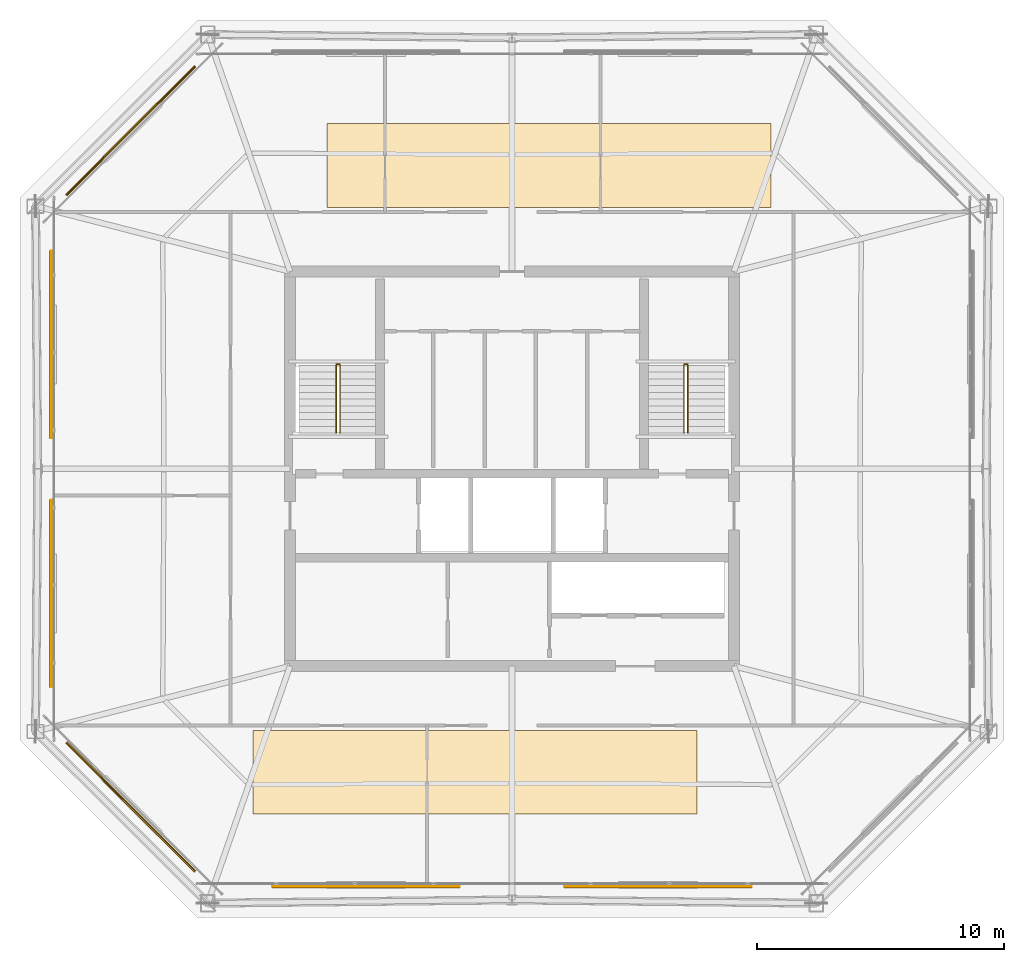
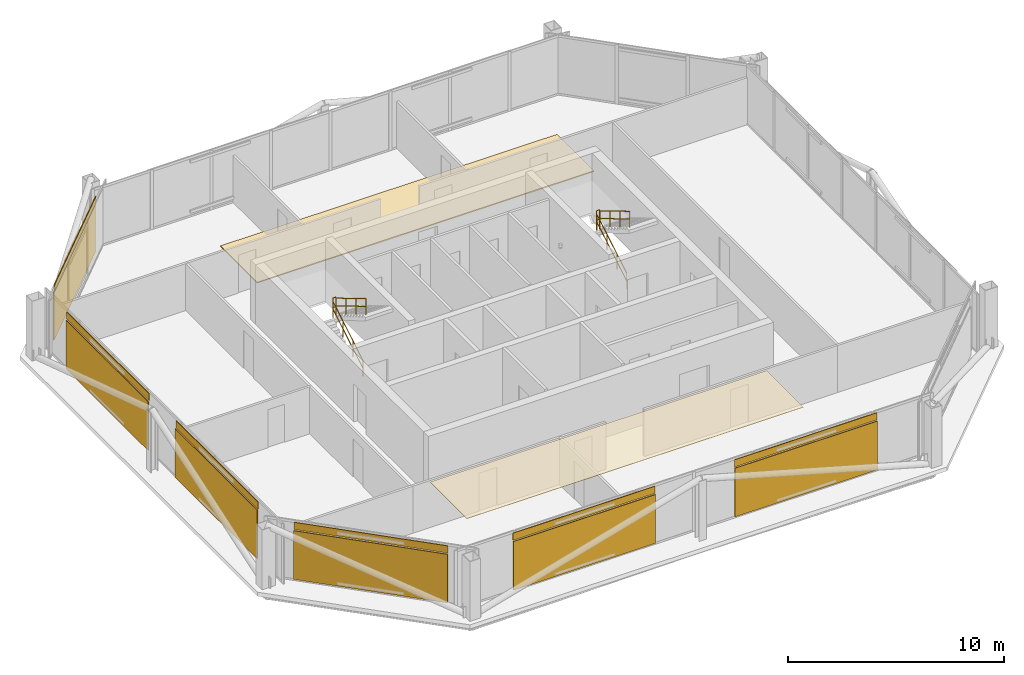
# One storey, part 25 of 26: 8 coverings, 6 railings, 6 shading devices.
"""IFC4 building model written with IfcOpenShell, lengths in metres."""

from ifc_helpers import new_model, si_unit, direction, frame, origin, origin_2d, place, context, subcontext, project, spatial, polyline, rectangle, circle, outline, extrude, material, layer, layer_set, type_object, element, save


model = new_model("IFC4")

# Units and contexts
model_context = context("Model", 3, precision=1e-05, world=origin(), true_north=direction((0.0, 1.0)))
body_context = subcontext(model_context, "Body", "Model", "MODEL_VIEW")
ifc_project = project(units=[si_unit("LENGTHUNIT", "METRE"), si_unit("AREAUNIT", "SQUARE_METRE"), si_unit("VOLUMEUNIT", "CUBIC_METRE"), si_unit("PLANEANGLEUNIT", "RADIAN"), si_unit("MASSUNIT", "GRAM", prefix="KILO")], contexts=[model_context])

# Site, building, storey
site_placement = place(None, origin())
site = spatial("IfcSite", under=ifc_project, at=site_placement, CompositionType="ELEMENT")
building_placement = place(site_placement, origin())
building = spatial("IfcBuilding", under=site, at=building_placement, Name="Caelvoria Tower", CompositionType="ELEMENT")
storey_placement = place(building_placement, frame((0.0, 0.0, 239.39990234375)))
storey = spatial("IfcBuildingStorey", under=building, at=storey_placement, Name="L63", CompositionType="ELEMENT", Elevation=239.39990234375)

# Coverings
ifc_material_1 = material(Name="Acoustic Mineral Fibre Tile", Category="gypsum")
ifc_layer_1 = layer(ifc_material_1, 0.02490234375, Name="Acoustic Mineral Fibre Tile")
ifc_layer_set_1 = layer_set([ifc_layer_1], Name="Mineral-Fibre Acoustic Suspended Ceiling 25 - Acoustic Mineral Fibre Tile")
covering_type_1 = type_object("IfcCoveringType", Name="Mineral-Fibre Acoustic Suspended Ceiling 25", PredefinedType="CEILING", material=ifc_layer_set_1)
covering_1_placement = place(storey_placement, frame((0.0, 0.0, 2.650146484375)))
element("IfcCovering", 1, at=covering_1_placement, inside=storey, type_object=covering_type_1, Name="Suspended Acoustic Ceiling L63", PredefinedType="CEILING", context=body_context, shape_type="SweptSolid", body=[
    extrude(outline(polyline([(35.5, 18.0), (53.5, 18.0), (53.5, 21.39990234375), (35.5, 21.39990234375), (35.5, 18.0)])), origin(), (0.0, 0.0, 1.0), 0.02490234375),
])
ifc_material_2 = material(Name="Perforated Architectural Bronze Cladding Screen", Category="bronze")
ifc_layer_2 = layer(ifc_material_2, 0.0400390625, Name="Perforated Architectural Bronze Cladding Screen")
ifc_layer_set_2 = layer_set([ifc_layer_2], Name="Perforated Bronze Louvre Cladding Band 40 - Perforated Architectural Bronze Cladding Screen")
covering_type_2 = type_object("IfcCoveringType", Name="Perforated Bronze Louvre Cladding Band 40", PredefinedType="CLADDING", material=ifc_layer_set_2)
for number, where, z_axis, x_axis, name in (
    (2, (40.074951171875, 15.077880859375, 2.955078125), (0.0, 0.0, 1.0), (1.0, 0.0, 0.0), "Perforated Bronze Screen Band L63-E0-00"),
    (3, (51.925048828125, 15.077880859375, 2.955078125), (0.0, 0.0, 1.0), (1.0, 0.0, 0.0), "Perforated Bronze Screen Band L63-E0-01"),
):
    element("IfcCovering", number, at=place(storey_placement, frame(where, z_axis=z_axis, x_axis=x_axis)), inside=storey, type_object=covering_type_2, Name=name, PredefinedType="CLADDING", context=body_context, shape_type="SweptSolid", body=[
        extrude(rectangle(XDim=7.60009765625, YDim=0.0400390625, at=origin_2d()), origin(), (0.0, 0.0, 1.0), 0.39990234375),
    ])
covering_2_placement = place(storey_placement, frame((30.5537109375, 45.6962890625, 2.955078125), z_axis=(0.0, 0.0, 1.0), x_axis=(-0.707106781187, -0.707106781187, 0.0)))
element("IfcCovering", 4, at=covering_2_placement, inside=storey, type_object=covering_type_2, Name="Perforated Bronze Screen Band L63-E5-00", PredefinedType="CLADDING", context=body_context, shape_type="SweptSolid", body=[
    extrude(rectangle(XDim=7.37646484375, YDim=0.0400390625, at=origin_2d()), origin(), (0.0, 0.0, 1.0), 0.39990234375),
])
for number, where, z_axis, x_axis, name in (
    (5, (27.327880859375, 37.050048828125, 2.955078125), (0.0, 0.0, 1.0), (0.0, -1.0, 0.0), "Perforated Bronze Screen Band L63-E6-00"),
    (6, (27.327880859375, 26.949951171875, 2.955078125), (0.0, 0.0, 1.0), (0.0, -1.0, 0.0), "Perforated Bronze Screen Band L63-E6-01"),
):
    element("IfcCovering", number, at=place(storey_placement, frame(where, z_axis=z_axis, x_axis=x_axis)), inside=storey, type_object=covering_type_2, Name=name, PredefinedType="CLADDING", context=body_context, shape_type="SweptSolid", body=[
        extrude(rectangle(XDim=7.60009765625, YDim=0.0400390625, at=origin_2d()), origin(), (0.0, 0.0, 1.0), 0.39990234375),
    ])
covering_3_placement = place(storey_placement, frame((30.5537109375, 18.3037109375, 2.955078125), z_axis=(0.0, 0.0, 1.0), x_axis=(0.707106781187, -0.707106781187, 0.0)))
element("IfcCovering", 7, at=covering_3_placement, inside=storey, type_object=covering_type_2, Name="Perforated Bronze Screen Band L63-E7-00", PredefinedType="CLADDING", context=body_context, shape_type="SweptSolid", body=[
    extrude(rectangle(XDim=7.37646484375, YDim=0.0400390625, at=origin_2d()), origin(), (0.0, 0.0, 1.0), 0.39990234375),
])

# Shading devices
ifc_material_3 = material(Name="Perforated Architectural Bronze Alloy Panel", Category="bronze")
ifc_layer_3 = layer(ifc_material_3, 0.044921875, Name="Perforated Architectural Bronze Alloy Panel")
ifc_layer_set_3 = layer_set([ifc_layer_3], Name="Perforated Bronze Solar Screen Panel SCREEN - Perforated Architectural Bronze Alloy Panel")
shading_device_type = type_object("IfcShadingDeviceType", Name="Perforated Bronze Solar Screen Panel SCREEN", PredefinedType="USERDEFINED", material=ifc_layer_set_3)
for number, where, z_axis, x_axis, name in (
    (8, (40.074951171875, 15.034912109375, 0.16015625), (0.0, 0.0, 1.0), (1.0, 0.0, 0.0), "Perforated Bronze Solar Screen L63-E0-00"),
    (9, (51.925048828125, 15.034912109375, 0.16015625), (0.0, 0.0, 1.0), (1.0, 0.0, 0.0), "Perforated Bronze Solar Screen L63-E0-01"),
):
    element("IfcShadingDevice", number, at=place(storey_placement, frame(where, z_axis=z_axis, x_axis=x_axis)), inside=storey, type_object=shading_device_type, Name=name, ObjectType="SCREEN", PredefinedType="USERDEFINED", context=body_context, shape_type="SweptSolid", body=[
        extrude(rectangle(XDim=7.60009765625, YDim=0.044921875, at=origin_2d()), origin(), (0.0, 0.0, 1.0), 2.75),
    ])
shading_device_1_placement = place(storey_placement, frame((30.523193359375, 45.726806640625, 0.16015625), z_axis=(0.0, 0.0, 1.0), x_axis=(-0.707106781187, -0.707106781187, 0.0)))
element("IfcShadingDevice", 10, at=shading_device_1_placement, inside=storey, type_object=shading_device_type, Name="Perforated Bronze Solar Screen L63-E5-00", ObjectType="SCREEN", PredefinedType="USERDEFINED", context=body_context, shape_type="SweptSolid", body=[
    extrude(rectangle(XDim=7.37646484375, YDim=0.044921875, at=origin_2d()), origin(), (0.0, 0.0, 1.0), 2.75),
])
for number, where, z_axis, x_axis, name in (
    (11, (27.284912109375, 37.050048828125, 0.16015625), (0.0, 0.0, 1.0), (0.0, -1.0, 0.0), "Perforated Bronze Solar Screen L63-E6-00"),
    (12, (27.284912109375, 26.949951171875, 0.16015625), (0.0, 0.0, 1.0), (0.0, -1.0, 0.0), "Perforated Bronze Solar Screen L63-E6-01"),
):
    element("IfcShadingDevice", number, at=place(storey_placement, frame(where, z_axis=z_axis, x_axis=x_axis)), inside=storey, type_object=shading_device_type, Name=name, ObjectType="SCREEN", PredefinedType="USERDEFINED", context=body_context, shape_type="SweptSolid", body=[
        extrude(rectangle(XDim=7.60009765625, YDim=0.044921875, at=origin_2d()), origin(), (0.0, 0.0, 1.0), 2.75),
    ])
shading_device_2_placement = place(storey_placement, frame((30.523193359375, 18.273193359375, 0.16015625), z_axis=(0.0, 0.0, 1.0), x_axis=(0.707106781187, -0.707106781187, 0.0)))
element("IfcShadingDevice", 13, at=shading_device_2_placement, inside=storey, type_object=shading_device_type, Name="Perforated Bronze Solar Screen L63-E7-00", ObjectType="SCREEN", PredefinedType="USERDEFINED", context=body_context, shape_type="SweptSolid", body=[
    extrude(rectangle(XDim=7.37646484375, YDim=0.044921875, at=origin_2d()), origin(), (0.0, 0.0, 1.0), 2.75),
])

# Covering
ifc_material_4 = material(Name="Calcium-Sulphate Raised Floor Tile", Category="gypsum")
ifc_layer_4 = layer(ifc_material_4, 0.06005859375, Name="Calcium-Sulphate Raised Floor Tile")
ifc_layer_set_4 = layer_set([ifc_layer_4], Name="Raised Access Office Floor System 120 - Calcium-Sulphate Raised Floor Tile")
covering_type_3 = type_object("IfcCoveringType", Name="Raised Access Office Floor System 120", PredefinedType="FLOORING", material=ifc_layer_set_4)
covering_4_placement = place(storey_placement, origin())
element("IfcCovering", 14, at=covering_4_placement, inside=storey, type_object=covering_type_3, Name="Raised Access Flooring L63", PredefinedType="FLOORING", context=body_context, shape_type="SweptSolid", body=[
    extrude(outline(polyline([(38.5, 42.60009765625), (56.5, 42.60009765625), (56.5, 46.0), (38.5, 46.0), (38.5, 42.60009765625)])), origin(), (0.0, 0.0, 1.0), 0.06005859375),
])

# Railings
ifc_material_5 = material(Name="Brushed Stainless Steel Tube", Category="steel")
railing_type_1 = type_object("IfcRailingType", Name="Stair Tubular Stainless Handrail 920", PredefinedType="HANDRAIL", material=ifc_material_5)
railing_1_placement = place(storey_placement, frame((38.8701171875, 33.449951171875, 0.163818359375)))
element("IfcRailing", 15, at=railing_1_placement, inside=storey, type_object=railing_type_1, Name="ST-01 Flight 1 Handrail L63", PredefinedType="HANDRAIL", context=body_context, shape_type="SweptSolid", body=[
    extrude(circle(Radius=0.02392578125, at=origin_2d()), frame((0.0, 0.0, 0.89599609375), z_axis=(0.0, 0.859385484447, 0.511328259656), x_axis=(-1.0, 0.0, 0.0)), (0.0, 0.0, 1.0), 3.199951171875),
    extrude(circle(Radius=0.02392578125, at=origin_2d()), frame((0.0, 0.0, 0.4599609375), z_axis=(0.0, 0.859385484447, 0.511328259656), x_axis=(-1.0, 0.0, 0.0)), (0.0, 0.0, 1.0), 3.199951171875),
    extrude(circle(Radius=0.02099609375, at=origin_2d()), origin(), (0.0, 0.0, 1.0), 0.871826171875),
    extrude(circle(Radius=0.02099609375, at=origin_2d()), frame((0.0, 0.916748046875, 0.54541015625)), (0.0, 0.0, 1.0), 0.871826171875),
    extrude(circle(Radius=0.02099609375, at=origin_2d()), frame((0.0, 1.833251953125, 1.0908203125)), (0.0, 0.0, 1.0), 0.871826171875),
    extrude(circle(Radius=0.02099609375, at=origin_2d()), frame((0.0, 2.75, 1.63623046875)), (0.0, 0.0, 1.0), 0.871826171875),
])
railing_2_placement = place(storey_placement, frame((39.030029296875, 36.199951171875, 1.963623046875)))
element("IfcRailing", 16, at=railing_2_placement, inside=storey, type_object=railing_type_1, Name="ST-01 Flight 2 Handrail L63", PredefinedType="HANDRAIL", context=body_context, shape_type="SweptSolid", body=[
    extrude(circle(Radius=0.02392578125, at=origin_2d()), frame((0.0, 0.0, 0.89599609375), z_axis=(0.0, -0.859351957796, 0.511384603436), x_axis=(1.0, 0.0, 0.0)), (0.0, 0.0, 1.0), 3.2001953125),
    extrude(circle(Radius=0.02392578125, at=origin_2d()), frame((0.0, 0.0, 0.4599609375), z_axis=(0.0, -0.859351957796, 0.511384603436), x_axis=(1.0, 0.0, 0.0)), (0.0, 0.0, 1.0), 3.2001953125),
    extrude(circle(Radius=0.02099609375, at=origin_2d()), origin(), (0.0, 0.0, 1.0), 0.871826171875),
    extrude(circle(Radius=0.02099609375, at=origin_2d()), frame((0.0, -0.916748046875, 0.54541015625)), (0.0, 0.0, 1.0), 0.871826171875),
    extrude(circle(Radius=0.02099609375, at=origin_2d()), frame((0.0, -1.833251953125, 1.091064453125)), (0.0, 0.0, 1.0), 0.871826171875),
    extrude(circle(Radius=0.02099609375, at=origin_2d()), frame((0.0, -2.75, 1.636474609375)), (0.0, 0.0, 1.0), 0.871826171875),
])
railing_3_placement = place(storey_placement, frame((52.969970703125, 33.449951171875, 0.163818359375)))
element("IfcRailing", 17, at=railing_3_placement, inside=storey, type_object=railing_type_1, Name="ST-02 Flight 1 Handrail L63", PredefinedType="HANDRAIL", context=body_context, shape_type="SweptSolid", body=[
    extrude(circle(Radius=0.02392578125, at=origin_2d()), frame((0.0, 0.0, 0.89599609375), z_axis=(0.0, 0.859385484447, 0.511328259656), x_axis=(-1.0, 0.0, 0.0)), (0.0, 0.0, 1.0), 3.199951171875),
    extrude(circle(Radius=0.02392578125, at=origin_2d()), frame((0.0, 0.0, 0.4599609375), z_axis=(0.0, 0.859385484447, 0.511328259656), x_axis=(-1.0, 0.0, 0.0)), (0.0, 0.0, 1.0), 3.199951171875),
    extrude(circle(Radius=0.02099609375, at=origin_2d()), origin(), (0.0, 0.0, 1.0), 0.871826171875),
    extrude(circle(Radius=0.02099609375, at=origin_2d()), frame((0.0, 0.916748046875, 0.54541015625)), (0.0, 0.0, 1.0), 0.871826171875),
    extrude(circle(Radius=0.02099609375, at=origin_2d()), frame((0.0, 1.833251953125, 1.0908203125)), (0.0, 0.0, 1.0), 0.871826171875),
    extrude(circle(Radius=0.02099609375, at=origin_2d()), frame((0.0, 2.75, 1.63623046875)), (0.0, 0.0, 1.0), 0.871826171875),
])
railing_4_placement = place(storey_placement, frame((53.1298828125, 36.199951171875, 1.963623046875)))
element("IfcRailing", 18, at=railing_4_placement, inside=storey, type_object=railing_type_1, Name="ST-02 Flight 2 Handrail L63", PredefinedType="HANDRAIL", context=body_context, shape_type="SweptSolid", body=[
    extrude(circle(Radius=0.02392578125, at=origin_2d()), frame((0.0, 0.0, 0.89599609375), z_axis=(0.0, -0.859351957796, 0.511384603436), x_axis=(1.0, 0.0, 0.0)), (0.0, 0.0, 1.0), 3.2001953125),
    extrude(circle(Radius=0.02392578125, at=origin_2d()), frame((0.0, 0.0, 0.4599609375), z_axis=(0.0, -0.859351957796, 0.511384603436), x_axis=(1.0, 0.0, 0.0)), (0.0, 0.0, 1.0), 3.2001953125),
    extrude(circle(Radius=0.02099609375, at=origin_2d()), origin(), (0.0, 0.0, 1.0), 0.871826171875),
    extrude(circle(Radius=0.02099609375, at=origin_2d()), frame((0.0, -0.916748046875, 0.54541015625)), (0.0, 0.0, 1.0), 0.871826171875),
    extrude(circle(Radius=0.02099609375, at=origin_2d()), frame((0.0, -1.833251953125, 1.091064453125)), (0.0, 0.0, 1.0), 0.871826171875),
    extrude(circle(Radius=0.02099609375, at=origin_2d()), frame((0.0, -2.75, 1.636474609375)), (0.0, 0.0, 1.0), 0.871826171875),
])
ifc_material_6 = material(Name="Brushed Stainless Steel Guardrail", Category="steel")
railing_type_2 = type_object("IfcRailingType", Name="Stair Well and Ramp Guardrail 1120", PredefinedType="GUARDRAIL", material=ifc_material_6)
for number, where, name in (
    (19, (38.8701171875, 36.239990234375, 1.800048828125), "ST-01 Half-Landing Well Guard L63"),
    (20, (52.969970703125, 36.239990234375, 1.800048828125), "ST-02 Half-Landing Well Guard L63"),
):
    element("IfcRailing", number, at=place(storey_placement, frame(where)), inside=storey, type_object=railing_type_2, Name=name, PredefinedType="GUARDRAIL", context=body_context, shape_type="SweptSolid", body=[
        extrude(circle(Radius=0.02392578125, at=origin_2d()), frame((0.0, 0.0, 1.09619140625), z_axis=(1.0, 0.0, 0.0), x_axis=(0.0, 1.0, 0.0)), (0.0, 0.0, 1.0), 0.159912109375),
        extrude(circle(Radius=0.02392578125, at=origin_2d()), frame((0.0, 0.0, 0.56005859375), z_axis=(1.0, 0.0, 0.0), x_axis=(0.0, 1.0, 0.0)), (0.0, 0.0, 1.0), 0.159912109375),
        extrude(circle(Radius=0.02099609375, at=origin_2d()), origin(), (0.0, 0.0, 1.0), 1.072021484375),
        extrude(circle(Radius=0.02099609375, at=origin_2d()), frame((0.159912109375, 0.0, 0.0)), (0.0, 0.0, 1.0), 1.072021484375),
    ])

save(model, "model.ifc")
